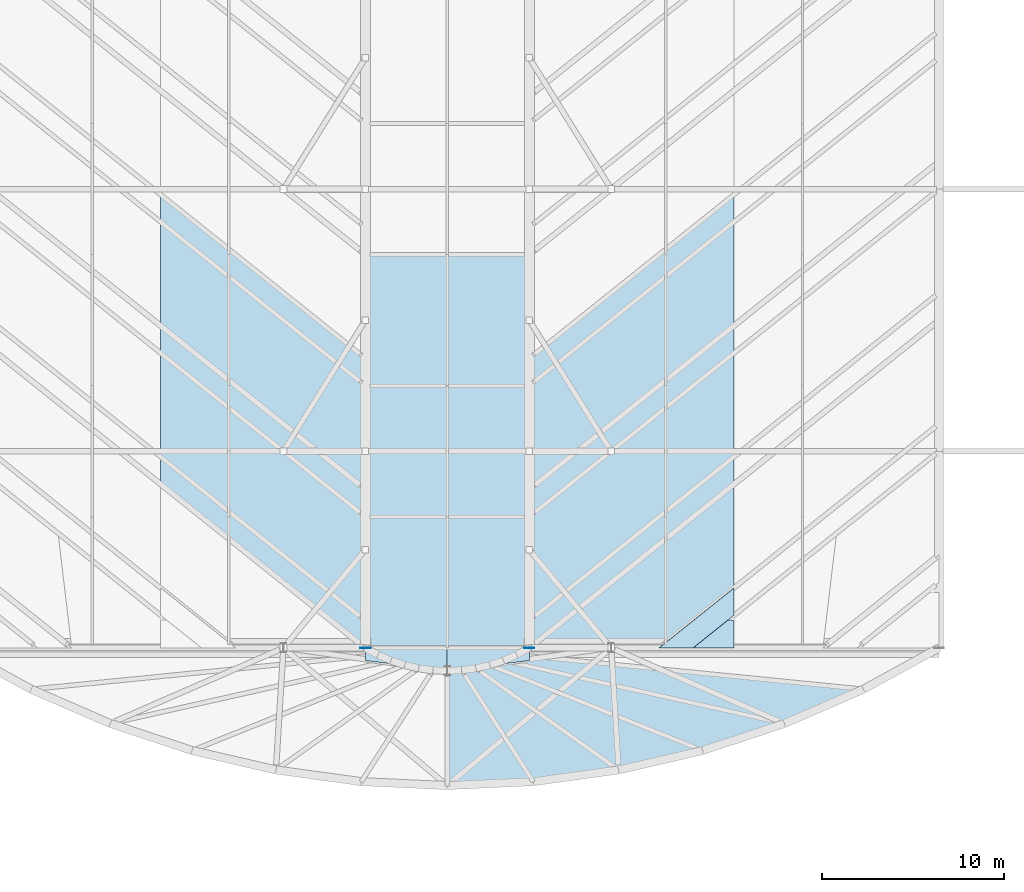
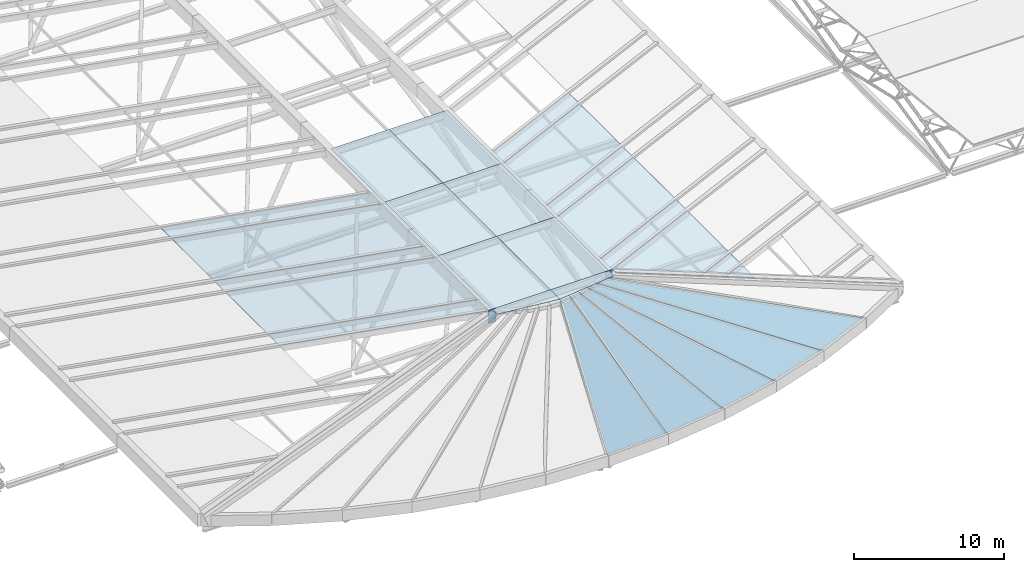
# One storey, part 63 of 110: 28 plates.
"""IFC4 building model written with IfcOpenShell, lengths in metres."""

import ifcopenshell
import ifcopenshell.guid

model = None  # the IFC model being written
_history = None  # IfcOwnerHistory: only IFC2X3 demands one
_inside = {}  # id of a spatial element -> (the spatial element, [elements in it])
_under = {}  # id of a project, library or spatial element -> (it, [spatial elements below it])
_declared = {}  # id of a project -> (the project, [libraries it declares])
_typed = {}  # id of a type object -> (the type object, [elements of that type])
_made_of = {}  # id of a material, layer set ... -> (it, [elements and type objects made of it])


def new_model(schema):
    """Start an empty IFC model of exactly this schema.

    Asked for "IFC4X3", IfcOpenShell would pick the latest addendum, in which some entities
    have other attributes; the version numbers below select the first issue.
    IFC2X3 requires an IfcOwnerHistory on every rooted entity: one is made here for all.
    """
    global model, _history
    if schema == "IFC4X3":
        model = ifcopenshell.file(schema_version=(4, 3, 0, 0))
    else:
        model = ifcopenshell.file(schema=schema)
    _inside.clear()
    _under.clear()
    _declared.clear()
    _typed.clear()
    _made_of.clear()
    _history = None
    if model.schema == "IFC2X3":
        org = make("IfcOrganization", Name="unknown")
        user = make(
            "IfcPersonAndOrganization",
            ThePerson=make("IfcPerson", FamilyName="unknown"),
            TheOrganization=org,
        )
        app = make(
            "IfcApplication",
            ApplicationDeveloper=org,
            Version="unknown",
            ApplicationFullName="unknown",
            ApplicationIdentifier="unknown",
        )
        _history = make(
            "IfcOwnerHistory",
            OwningUser=user,
            OwningApplication=app,
            ChangeAction="ADDED",
            CreationDate=0,
        )
    return model


def make(cls, **values):
    """One entity of the class cls with the attributes given. An attribute that is None is left unset."""
    return model.create_entity(
        cls, **{name: value for name, value in values.items() if value is not None}
    )


def rooted(cls, **values):
    """An entity with a GlobalId (a new one), such as an element, a storey or a relation."""
    return make(cls, GlobalId=ifcopenshell.guid.new(), OwnerHistory=_history, **values)


def si_unit(unit_type, name, prefix=None):
    """IfcSIUnit, for example si_unit("LENGTHUNIT", "METRE", prefix="MILLI")."""
    return make("IfcSIUnit", UnitType=unit_type, Prefix=prefix, Name=name)


def assignment(units):
    """IfcUnitAssignment: the units of a project."""
    return None if units is None else make("IfcUnitAssignment", Units=units)


def point(xyz):
    """IfcCartesianPoint."""
    return None if xyz is None else make("IfcCartesianPoint", Coordinates=xyz)


def direction(xyz):
    """IfcDirection."""
    return None if xyz is None else make("IfcDirection", DirectionRatios=xyz)


def frame(location, z_axis=None, x_axis=None):
    """IfcAxis2Placement3D, a coordinate frame: its origin and axes. An axis left out is left unset."""
    return make(
        "IfcAxis2Placement3D",
        Location=point(location),
        Axis=direction(z_axis),
        RefDirection=direction(x_axis),
    )


def frame_2d(location, x_axis=None):
    """IfcAxis2Placement2D, a coordinate frame in the plane: its origin and x axis."""
    return make(
        "IfcAxis2Placement2D", Location=point(location), RefDirection=direction(x_axis)
    )


def origin():
    """The frame at (0, 0, 0) with its axes left unset."""
    return frame((0.0, 0.0, 0.0))


def origin_2d():
    """The frame at (0, 0) in the plane with its x axis left unset."""
    return frame_2d((0.0, 0.0))


def place(relative_to, where):
    """IfcLocalPlacement: puts the frame where relative to a parent placement (None: the world)."""
    return make(
        "IfcLocalPlacement", PlacementRelTo=relative_to, RelativePlacement=where
    )


def context(
    kind, dimensions, precision=None, world=None, true_north=None, identifier=None
):
    """IfcGeometricRepresentationContext, for example the 3D "Model" context."""
    return make(
        "IfcGeometricRepresentationContext",
        ContextIdentifier=identifier,
        ContextType=kind,
        CoordinateSpaceDimension=dimensions,
        Precision=precision,
        WorldCoordinateSystem=world,
        TrueNorth=true_north,
    )


def subcontext(parent, identifier, kind, view, scale=None):
    """IfcGeometricRepresentationSubContext, for example "Body" below "Model"."""
    return make(
        "IfcGeometricRepresentationSubContext",
        ContextIdentifier=identifier,
        ContextType=kind,
        ParentContext=parent,
        TargetScale=scale,
        TargetView=view,
    )


def project(units=None, contexts=None):
    """IfcProject with its units and contexts."""
    return rooted(
        "IfcProject",
        Name="project",
        RepresentationContexts=contexts,
        UnitsInContext=assignment(units),
    )


def spatial(cls, under=None, at=None, **own):
    """A site, building, storey or space (cls), placed at a placement, below another one or the project."""
    s = rooted(cls, ObjectPlacement=at, **own)
    if under is not None:
        _under.setdefault(under.id(), (under, []))[1].append(s)
    return s


def polyline(points):
    """IfcPolyline through the points."""
    return make("IfcPolyline", Points=[point(p) for p in points])


def profile(cls, at=None, kind="AREA", **sizes):
    """A parametric profile (cls). Its sizes go by their IFC names, for example OverallWidth=200.0."""
    return make(cls, ProfileType=kind, Position=at, **sizes)


def rectangle(**sizes):
    """IfcRectangleProfileDef."""
    return profile("IfcRectangleProfileDef", **sizes)


def outline(outer, holes=None, kind="AREA"):
    """IfcArbitraryClosedProfileDef: a profile drawn as a closed curve; with holes, ...WithVoids."""
    if holes is None:
        return make("IfcArbitraryClosedProfileDef", ProfileType=kind, OuterCurve=outer)
    return make(
        "IfcArbitraryProfileDefWithVoids",
        ProfileType=kind,
        OuterCurve=outer,
        InnerCurves=holes,
    )


def extrude(swept, where, along, depth):
    """IfcExtrudedAreaSolid: the profile swept, set in the frame where, extruded along a direction by depth."""
    return make(
        "IfcExtrudedAreaSolid",
        SweptArea=swept,
        Position=where,
        ExtrudedDirection=direction(along),
        Depth=depth,
    )


def shape(context_of_items, identifier, shape_type, items):
    """IfcShapeRepresentation: the items that make up one representation, for example the "Body"."""
    return make(
        "IfcShapeRepresentation",
        ContextOfItems=context_of_items,
        RepresentationIdentifier=identifier,
        RepresentationType=shape_type,
        Items=items,
    )


def material(Name=None, Category=None):
    """IfcMaterial."""
    return make("IfcMaterial", Name=Name, Category=Category)


def layer(
    of_material, thickness, ventilated=None, Name=None, Category=None, Priority=None
):
    """IfcMaterialLayer: one layer of a wall or slab, of a material (None: an air gap)."""
    return make(
        "IfcMaterialLayer",
        Material=of_material,
        LayerThickness=thickness,
        IsVentilated=ventilated,
        Name=Name,
        Category=Category,
        Priority=Priority,
    )


def layer_set(layers, Name=None):
    """IfcMaterialLayerSet."""
    return make("IfcMaterialLayerSet", MaterialLayers=layers, LayerSetName=Name)


def made_of(thing, what):
    """Note that an element or type object is made of a material, layer set ...; save() writes the relation."""
    if what is not None:
        _made_of.setdefault(what.id(), (what, []))[1].append(thing)
    return thing


def type_object(cls, material=None, **own):
    """A type object (cls), such as IfcWallType, which elements share."""
    return made_of(rooted(cls, **own), material)


def element(
    cls,
    number,
    at=None,
    inside=None,
    cuts=None,
    type_object=None,
    material=None,
    context=None,
    identifier="Body",
    shape_type=None,
    held_by="IfcProductDefinitionShape",
    body=None,
    shapes=None,
    **own,
):
    """One element of the class cls, such as IfcWall. Its Tag is "e" and its number.

    at: its placement. inside: the storey or other place that contains it. cuts: it is an
    opening in that element (IfcRelVoidsElement). A single representation is given by context,
    identifier, shape_type and body (its items); several are given by shapes. held_by: the class
    of the entity that holds the representations. save() writes the other relations.
    """
    e = rooted(cls, Tag="e%d" % number, ObjectPlacement=at, **own)
    if body is not None:
        shapes = [shape(context, identifier, shape_type, body)]
    if shapes is not None:
        e.Representation = make(held_by, Representations=shapes)
    if inside is not None:
        _inside.setdefault(inside.id(), (inside, []))[1].append(e)
    if cuts is not None:
        rooted(
            "IfcRelVoidsElement", RelatingBuildingElement=cuts, RelatedOpeningElement=e
        )
    if type_object is not None:
        _typed.setdefault(type_object.id(), (type_object, []))[1].append(e)
    return made_of(e, material)


def aggregate(whole, parts):
    """IfcRelAggregates: a whole, such as a stair, and the parts it consists of."""
    return rooted("IfcRelAggregates", RelatingObject=whole, RelatedObjects=parts)


def save(model, path):
    """Write the relations noted so far, then the file.

    IfcRelAggregates (storeys below a building ...), IfcRelContainedInSpatialStructure (elements
    in a storey), IfcRelDefinesByType, IfcRelAssociatesMaterial and IfcRelDeclares: one each for
    every whole, place, type object, material and project.
    """
    for whole, parts in _under.values():
        aggregate(whole, parts)
    for where, things in _inside.values():
        rooted(
            "IfcRelContainedInSpatialStructure",
            RelatedElements=things,
            RelatingStructure=where,
        )
    for kind, things in _typed.values():
        rooted("IfcRelDefinesByType", RelatedObjects=things, RelatingType=kind)
    for what, things in _made_of.values():
        rooted("IfcRelAssociatesMaterial", RelatedObjects=things, RelatingMaterial=what)
    for by, libraries in _declared.values():
        rooted("IfcRelDeclares", RelatingContext=by, RelatedDefinitions=libraries)
    model.write(path)


model = new_model("IFC4")

# Units and contexts
model_context = context("Model", 3, precision=1e-05, world=origin(), true_north=direction((0.0, 1.0)))
body_context = subcontext(model_context, "Body", "Model", "MODEL_VIEW")
ifc_project = project(units=[si_unit("LENGTHUNIT", "METRE"), si_unit("AREAUNIT", "SQUARE_METRE"), si_unit("VOLUMEUNIT", "CUBIC_METRE"), si_unit("PLANEANGLEUNIT", "RADIAN"), si_unit("MASSUNIT", "GRAM", prefix="KILO")], contexts=[model_context])

# Site, building, storey
site_placement = place(None, origin())
site = spatial("IfcSite", under=ifc_project, at=site_placement, CompositionType="ELEMENT")
building_placement = place(site_placement, origin())
building = spatial("IfcBuilding", under=site, at=building_placement, Name="Tamarisk Ironworks Central Station", CompositionType="ELEMENT")
storey_placement = place(building_placement, frame((0.0, 0.0, 17.39990234375)))
storey = spatial("IfcBuildingStorey", under=building, at=storey_placement, Name="L03", CompositionType="ELEMENT", Elevation=17.39990234375)

# Plates
ifc_material_1 = material(Name="Painted structural steel S355J2", Category="steel")
ifc_layer_1 = layer(ifc_material_1, 0.01611328125)
ifc_layer_set_1 = layer_set([ifc_layer_1], Name="Painted structural steel S355J2")
plate_type_1 = type_object("IfcPlateType", Name="PL-EC16", PredefinedType="SHEET", material=ifc_layer_set_1)
for number, where, z_axis, x_axis, name in (
    (1, (76.5, 10.800048828125, 7.090087890625), (0.0, 0.0, 1.0), (1.0, 0.0, 0.0), "Spine box girder welded end-cap plate 005"),
    (2, (85.5, 10.800048828125, 7.090087890625), (0.0, 0.0, 1.0), (1.0, 0.0, 0.0), "Spine box girder welded end-cap plate 007"),
):
    element("IfcPlate", number, at=place(storey_placement, frame(where, z_axis=z_axis, x_axis=x_axis)), inside=storey, type_object=plate_type_1, Name=name, PredefinedType="SHEET", context=body_context, shape_type="SweptSolid", body=[
        extrude(rectangle(XDim=0.570068359375, YDim=0.01611328125, at=origin_2d()), origin(), (0.0, 0.0, 1.0), 1.1201171875),
    ])
ifc_material_2 = material(Name="Laminated solar-control low-E glass", Category="glass")
ifc_layer_2 = layer(ifc_material_2, 0.031982421875)
ifc_layer_set_2 = layer_set([ifc_layer_2], Name="Laminated solar-control low-E glass")
plate_type_2 = type_object("IfcPlateType", Name="PL-RG32", PredefinedType="USERDEFINED", material=ifc_layer_set_2)
plate_1_placement = place(storey_placement, frame((81.0, 3.240966796875, -0.699951171875), z_axis=(0.036958915641, -0.812592322478, 0.581659484583), x_axis=(0.998966686052, 0.045448430603, 1.7742851e-05)))
element("IfcPlate", 3, at=plate_1_placement, inside=storey, type_object=plate_type_2, Name="SOUTH rounded entrance hall trapezoidal glass panel 07", ObjectType="ROOF GLAZING PANEL", PredefinedType="USERDEFINED", context=body_context, shape_type="SweptSolid", body=[
    extrude(outline(polyline([(0.0, 0.0), (4.729990554004861, 0.0), (1.0748539911034023, 10.81839121232795), (0.2864501824924405, 10.818511581339045), (0.0, 0.0)])), origin(), (0.0, 0.0, -1.0), 0.031982421875),
])
plate_2_placement = place(storey_placement, frame((85.72509765625, 3.4560546875, -0.699951171875), z_axis=(0.108880491579, -0.792604670819, 0.599935725182), x_axis=(0.990697528555, 0.136082352755, -1.354396e-05)))
element("IfcPlate", 4, at=plate_2_placement, inside=storey, type_object=plate_type_2, Name="SOUTH rounded entrance hall trapezoidal glass panel 08", ObjectType="ROOF GLAZING PANEL", PredefinedType="USERDEFINED", context=body_context, shape_type="SweptSolid", body=[
    extrude(outline(polyline([(0.0, 0.0), (4.729778014506987, -5.551115123125783e-17), (-2.2798251872545783, 10.999359699398596), (-3.0681839834118128, 10.999266283247486), (0.0, 0.0)])), origin(), (0.0, 0.0, -1.0), 0.031982421875),
])
plate_3_placement = place(storey_placement, frame((90.410888671875, 4.099609375, -0.699951171875), z_axis=(0.174452844045, -0.753669143786, 0.633678962022), x_axis=(0.974241200646, 0.225508498649, -5.54137e-07)))
element("IfcPlate", 5, at=plate_3_placement, inside=storey, type_object=plate_type_2, Name="SOUTH rounded entrance hall trapezoidal glass panel 09", ObjectType="ROOF GLAZING PANEL", PredefinedType="USERDEFINED", context=body_context, shape_type="SweptSolid", body=[
    extrude(outline(polyline([(0.0, 0.0), (4.729992503124173, -1.1102230246251565e-16), (-5.592976607759322, 11.37550380896355), (-6.381101305769362, 11.375499856260948), (0.0, 0.0)])), origin(), (0.0, 0.0, -1.0), 0.031982421875),
])
plate_4_placement = place(storey_placement, frame((95.01904296875, 5.166259765625, -0.699951171875), z_axis=(0.230173022247, -0.698096110283, 0.677998673036), x_axis=(0.949707386956, 0.313138753793, 5.791303e-06)))
element("IfcPlate", 6, at=plate_4_placement, inside=storey, type_object=plate_type_2, Name="SOUTH rounded entrance hall trapezoidal glass panel 10", ObjectType="ROOF GLAZING PANEL", PredefinedType="USERDEFINED", context=body_context, shape_type="SweptSolid", body=[
    extrude(outline(polyline([(0.0, 0.0), (4.730085141420575, 2.220446049250313e-16), (-8.836473403763897, 11.971896957608205), (-9.624885473070487, 11.97194043589678), (0.0, 0.0)])), origin(), (0.0, 0.0, -1.0), 0.031982421875),
])
plate_5_placement = place(storey_placement, frame((99.51123046875, 6.6474609375, -0.699951171875), z_axis=(0.273380889698, -0.629948807178, 0.726930113204), x_axis=(0.91733708375, 0.398111384759, 1.0130059e-05)))
element("IfcPlate", 7, at=plate_5_placement, inside=storey, type_object=plate_type_2, Name="SOUTH rounded entrance hall trapezoidal glass panel 11", ObjectType="ROOF GLAZING PANEL", PredefinedType="USERDEFINED", context=body_context, shape_type="SweptSolid", body=[
    extrude(outline(polyline([(0.0, 0.0), (4.7298700593379515, 0.0), (-11.98486869133244, 12.814946195480701), (-12.773131770307621, 12.815027596503747), (0.0, 0.0)])), origin(), (0.0, 0.0, -1.0), 0.031982421875),
])
ifc_layer_3 = layer(ifc_material_2, 0.035888671875)
ifc_layer_set_3 = layer_set([ifc_layer_3], Name="Laminated solar-control low-E glass")
plate_type_3 = type_object("IfcPlateType", Name="PL-RG36", PredefinedType="USERDEFINED", material=ifc_layer_set_3)
plate_6_placement = place(storey_placement, frame((0.0, 0.0, 8.1640625)))
element("IfcPlate", 8, at=plate_6_placement, inside=storey, type_object=plate_type_3, Name="Concourse central skylight spine glass panel 001", ObjectType="ROOF GLAZING PANEL", PredefinedType="USERDEFINED", context=body_context, shape_type="SweptSolid", body=[
    extrude(outline(polyline([(76.5, 10.803955078125), (80.99609375, 10.803955078125), (80.99609375, 17.99609375), (76.5, 17.99609375), (76.5, 10.803955078125)])), origin(), (0.0, 0.0, 1.0), 0.0361328125),
])
plate_7_placement = place(storey_placement, frame((0.0, 0.0, 8.1640625)))
element("IfcPlate", 9, at=plate_7_placement, inside=storey, type_object=plate_type_3, Name="Concourse central skylight spine glass panel 002", ObjectType="ROOF GLAZING PANEL", PredefinedType="USERDEFINED", context=body_context, shape_type="SweptSolid", body=[
    extrude(outline(polyline([(81.00390625, 10.803955078125), (85.5, 10.803955078125), (85.5, 17.99609375), (81.00390625, 17.99609375), (81.00390625, 10.803955078125)])), origin(), (0.0, 0.0, 1.0), 0.0361328125),
])
plate_8_placement = place(storey_placement, frame((0.0, 0.0, 8.1640625)))
element("IfcPlate", 10, at=plate_8_placement, inside=storey, type_object=plate_type_3, Name="Concourse central skylight spine glass panel 003", ObjectType="ROOF GLAZING PANEL", PredefinedType="USERDEFINED", context=body_context, shape_type="SweptSolid", body=[
    extrude(outline(polyline([(76.5, 18.00390625), (80.99609375, 18.00390625), (80.99609375, 25.196044921875), (76.5, 25.196044921875), (76.5, 18.00390625)])), origin(), (0.0, 0.0, 1.0), 0.0361328125),
])
plate_9_placement = place(storey_placement, frame((0.0, 0.0, 8.1640625)))
element("IfcPlate", 11, at=plate_9_placement, inside=storey, type_object=plate_type_3, Name="Concourse central skylight spine glass panel 004", ObjectType="ROOF GLAZING PANEL", PredefinedType="USERDEFINED", context=body_context, shape_type="SweptSolid", body=[
    extrude(outline(polyline([(81.00390625, 18.00390625), (85.5, 18.00390625), (85.5, 25.196044921875), (81.00390625, 25.196044921875), (81.00390625, 18.00390625)])), origin(), (0.0, 0.0, 1.0), 0.0361328125),
])
plate_10_placement = place(storey_placement, frame((0.0, 0.0, 8.1640625)))
element("IfcPlate", 12, at=plate_10_placement, inside=storey, type_object=plate_type_3, Name="Concourse central skylight spine glass panel 005", ObjectType="ROOF GLAZING PANEL", PredefinedType="USERDEFINED", context=body_context, shape_type="SweptSolid", body=[
    extrude(outline(polyline([(76.5, 25.2041015625), (80.99609375, 25.2041015625), (80.99609375, 32.39599609375), (76.5, 32.39599609375), (76.5, 25.2041015625)])), origin(), (0.0, 0.0, 1.0), 0.0361328125),
])
plate_11_placement = place(storey_placement, frame((0.0, 0.0, 8.1640625)))
element("IfcPlate", 13, at=plate_11_placement, inside=storey, type_object=plate_type_3, Name="Concourse central skylight spine glass panel 006", ObjectType="ROOF GLAZING PANEL", PredefinedType="USERDEFINED", context=body_context, shape_type="SweptSolid", body=[
    extrude(outline(polyline([(81.00390625, 25.2041015625), (85.5, 25.2041015625), (85.5, 32.39599609375), (81.00390625, 32.39599609375), (81.00390625, 25.2041015625)])), origin(), (0.0, 0.0, 1.0), 0.0361328125),
])
plate_12_placement = place(storey_placement, frame((76.49609375, 10.80712890625, 8.0986328125), z_axis=(-0.364245304975, 0.0, 0.931303042948), x_axis=(0.0, 1.0, 0.0)))
element("IfcPlate", 14, at=plate_12_placement, inside=storey, type_object=plate_type_3, Name="Concourse fitted 4-vertex fishbone roof glass panel 0032", ObjectType="ROOF GLAZING PANEL", PredefinedType="USERDEFINED", context=body_context, shape_type="SweptSolid", body=[
    extrude(outline(polyline([(0.0, 0.0), (1.4921875, 0.0), (10.485595703125, 12.071460074281257), (8.99365234375, 12.071460074281257), (0.0, 0.0)])), origin(), (0.0, 0.0, -1.0), 0.035888671875),
])
plate_13_placement = place(storey_placement, frame((76.49609375, 12.30712890625, 8.0986328125), z_axis=(-0.364245304975, 0.0, 0.931303042948), x_axis=(0.0, 1.0, 0.0)))
element("IfcPlate", 15, at=plate_13_placement, inside=storey, type_object=plate_type_3, Name="Concourse fitted 4-vertex fishbone roof glass panel 0033", ObjectType="ROOF GLAZING PANEL", PredefinedType="USERDEFINED", context=body_context, shape_type="SweptSolid", body=[
    extrude(outline(polyline([(0.0, 0.0), (5.692138671875, 0.0), (14.685791015625, 12.071460074281257), (8.99365234375, 12.071460074281257), (0.0, 0.0)])), origin(), (0.0, 0.0, -1.0), 0.035888671875),
])
plate_14_placement = place(storey_placement, frame((76.49609375, 18.007080078125, 8.0986328125), z_axis=(-0.364245304975, 0.0, 0.931303042948), x_axis=(0.0, 1.0, 0.0)))
element("IfcPlate", 16, at=plate_14_placement, inside=storey, type_object=plate_type_3, Name="Concourse fitted 4-vertex fishbone roof glass panel 0034", ObjectType="ROOF GLAZING PANEL", PredefinedType="USERDEFINED", context=body_context, shape_type="SweptSolid", body=[
    extrude(outline(polyline([(0.0, 0.0), (1.4921875, 0.0), (10.48583984375, 12.071460074281255), (8.99365234375, 12.071460074281255), (0.0, 0.0)])), origin(), (0.0, 0.0, -1.0), 0.035888671875),
])
plate_15_placement = place(storey_placement, frame((76.49609375, 19.507080078125, 8.0986328125), z_axis=(-0.364245304975, 0.0, 0.931303042948), x_axis=(0.0, 1.0, 0.0)))
element("IfcPlate", 17, at=plate_15_placement, inside=storey, type_object=plate_type_3, Name="Concourse fitted 4-vertex fishbone roof glass panel 0035", ObjectType="ROOF GLAZING PANEL", PredefinedType="USERDEFINED", context=body_context, shape_type="SweptSolid", body=[
    extrude(outline(polyline([(0.0, 0.0), (5.692138671875, 0.0), (14.685791015625, 12.071460074281257), (8.99365234375, 12.071460074281257), (0.0, 0.0)])), origin(), (0.0, 0.0, -1.0), 0.035888671875),
])
plate_16_placement = place(storey_placement, frame((76.49609375, 25.207275390625, 8.0986328125), z_axis=(-0.364245304975, 0.0, 0.931303042948), x_axis=(0.0, 1.0, 0.0)))
element("IfcPlate", 18, at=plate_16_placement, inside=storey, type_object=plate_type_3, Name="Concourse fitted 4-vertex fishbone roof glass panel 0036", ObjectType="ROOF GLAZING PANEL", PredefinedType="USERDEFINED", context=body_context, shape_type="SweptSolid", body=[
    extrude(outline(polyline([(0.0, 0.0), (1.491943359375, 0.0), (10.485595703125, 12.071460074281257), (8.993408203125, 12.071460074281257), (0.0, 0.0)])), origin(), (0.0, 0.0, -1.0), 0.035888671875),
])
plate_17_placement = place(storey_placement, frame((96.41064453125, 12.324462890625, 3.832763671875), z_axis=(0.364199309114, 4.6637375e-05, 0.931321030078), x_axis=(-0.746822184463, -0.597449630581, 0.292079721502)))
element("IfcPlate", 19, at=plate_17_placement, inside=storey, type_object=plate_type_3, Name="Concourse fitted 4-vertex fishbone roof glass panel 0094", ObjectType="ROOF GLAZING PANEL", PredefinedType="USERDEFINED", context=body_context, shape_type="SweptSolid", body=[
    extrude(outline(polyline([(0.0, 0.0), (2.5449974993349, 2.7755575615628914e-17), (0.619613234218695, 1.4344817036211384), (-0.28881359665493533, 0.21517669838502185), (0.0, 0.0)])), origin(), (0.0, 0.0, -1.0), 0.035888671875),
])
plate_18_placement = place(storey_placement, frame((96.74609375, 12.600830078125, 3.70166015625), z_axis=(0.364257050462, -2.6207848e-05, 0.931298448674), x_axis=(9.546393e-06, 0.999999999657, 2.4407328e-05)))
element("IfcPlate", 20, at=plate_18_placement, inside=storey, type_object=plate_type_3, Name="Concourse fitted 4-vertex fishbone roof glass panel 0095", ObjectType="ROOF GLAZING PANEL", PredefinedType="USERDEFINED", context=body_context, shape_type="SweptSolid", body=[
    extrude(outline(polyline([(0.0, 0.0), (1.4919433588626285, 0.0), (-1.796875000617093, 4.414338749454878), (-1.7968750016418364, 2.4117535641484458), (0.0, 0.0)])), origin(), (0.0, 0.0, -1.0), 0.035888671875),
])
plate_19_placement = place(storey_placement, frame((96.74609375, 14.100830078125, 3.70166015625), z_axis=(0.364240784318, 2.442367e-06, 0.931304811022), x_axis=(-8.8961e-07, 0.999999999997, -2.274588e-06)))
element("IfcPlate", 21, at=plate_19_placement, inside=storey, type_object=plate_type_3, Name="Concourse fitted 4-vertex fishbone roof glass panel 0096", ObjectType="ROOF GLAZING PANEL", PredefinedType="USERDEFINED", context=body_context, shape_type="SweptSolid", body=[
    extrude(outline(polyline([(0.0, 0.0), (5.691894531233024, 6.026527750331652e-22), (-3.296875000009833, 12.064886580945966), (-3.2968750000437863, 4.425083708051606), (0.0, 0.0)])), origin(), (0.0, 0.0, -1.0), 0.035888671875),
])
plate_20_placement = place(storey_placement, frame((96.74609375, 19.80078125, 3.70166015625), z_axis=(0.364245304975, 0.0, 0.931303042948), x_axis=(0.0, 1.0, 0.0)))
element("IfcPlate", 22, at=plate_20_placement, inside=storey, type_object=plate_type_3, Name="Concourse fitted 4-vertex fishbone roof glass panel 0097", ObjectType="ROOF GLAZING PANEL", PredefinedType="USERDEFINED", context=body_context, shape_type="SweptSolid", body=[
    extrude(outline(polyline([(0.0, 0.0), (1.491943359375, 0.0), (-7.50146484375, 12.071460074281257), (-8.99365234375, 12.071460074281257), (0.0, 0.0)])), origin(), (0.0, 0.0, -1.0), 0.035888671875),
])
plate_21_placement = place(storey_placement, frame((96.74609375, 21.30078125, 3.70166015625), z_axis=(0.364245304975, 0.0, 0.931303042948), x_axis=(0.0, 1.0, 0.0)))
element("IfcPlate", 23, at=plate_21_placement, inside=storey, type_object=plate_type_3, Name="Concourse fitted 4-vertex fishbone roof glass panel 0098", ObjectType="ROOF GLAZING PANEL", PredefinedType="USERDEFINED", context=body_context, shape_type="SweptSolid", body=[
    extrude(outline(polyline([(0.0, 0.0), (5.692138671875, 0.0), (-3.301513671875, 12.071460074281257), (-8.99365234375, 12.071460074281257), (0.0, 0.0)])), origin(), (0.0, 0.0, -1.0), 0.035888671875),
])
plate_22_placement = place(storey_placement, frame((96.74609375, 27.000732421875, 3.70166015625), z_axis=(0.364245304975, 0.0, 0.931303042948), x_axis=(0.0, 1.0, 0.0)))
element("IfcPlate", 24, at=plate_22_placement, inside=storey, type_object=plate_type_3, Name="Concourse fitted 4-vertex fishbone roof glass panel 0099", ObjectType="ROOF GLAZING PANEL", PredefinedType="USERDEFINED", context=body_context, shape_type="SweptSolid", body=[
    extrude(outline(polyline([(0.0, 0.0), (1.4921875, 0.0), (-7.50146484375, 12.071460074281255), (-8.99365234375, 12.071460074281255), (0.0, 0.0)])), origin(), (0.0, 0.0, -1.0), 0.035888671875),
])
plate_23_placement = place(storey_placement, frame((96.74609375, 28.500732421875, 3.70166015625), z_axis=(0.364245304975, 0.0, 0.931303042948), x_axis=(0.0, 1.0, 0.0)))
element("IfcPlate", 25, at=plate_23_placement, inside=storey, type_object=plate_type_3, Name="Concourse fitted 4-vertex fishbone roof glass panel 0100", ObjectType="ROOF GLAZING PANEL", PredefinedType="USERDEFINED", context=body_context, shape_type="SweptSolid", body=[
    extrude(outline(polyline([(0.0, 0.0), (5.692138671875, 0.0), (-3.301513671875, 12.071460074281257), (-8.99365234375, 12.071460074281257), (0.0, 0.0)])), origin(), (0.0, 0.0, -1.0), 0.035888671875),
])
plate_24_placement = place(storey_placement, frame((96.74609375, 34.20068359375, 3.70166015625), z_axis=(0.364245304975, 0.0, 0.931303042948), x_axis=(0.0, 1.0, 0.0)))
element("IfcPlate", 26, at=plate_24_placement, inside=storey, type_object=plate_type_3, Name="Concourse fitted 4-vertex fishbone roof glass panel 0101", ObjectType="ROOF GLAZING PANEL", PredefinedType="USERDEFINED", context=body_context, shape_type="SweptSolid", body=[
    extrude(outline(polyline([(0.0, 0.0), (1.4921875, 0.0), (-7.50146484375, 12.071460074281257), (-8.993408203125, 12.071460074281257), (0.0, 0.0)])), origin(), (0.0, 0.0, -1.0), 0.035888671875),
])
plate_25_placement = place(storey_placement, frame((0.0, 0.0, 8.1640625)))
element("IfcPlate", 27, at=plate_25_placement, inside=storey, type_object=plate_type_3, Name="SOUTH rounded entrance hall crown lunette glass W", ObjectType="ROOF GLAZING PANEL", PredefinedType="USERDEFINED", context=body_context, shape_type="SweptSolid", body=[
    extrude(outline(polyline([(76.5, 10.10791015625), (80.99609375, 9.540283203125), (80.99609375, 10.800048828125), (76.5, 10.800048828125), (76.5, 10.10791015625)])), origin(), (0.0, 0.0, 1.0), 0.0361328125),
])
plate_26_placement = place(storey_placement, frame((0.0, 0.0, 8.1640625)))
element("IfcPlate", 28, at=plate_26_placement, inside=storey, type_object=plate_type_3, Name="SOUTH rounded entrance hall crown lunette glass E", ObjectType="ROOF GLAZING PANEL", PredefinedType="USERDEFINED", context=body_context, shape_type="SweptSolid", body=[
    extrude(outline(polyline([(81.00390625, 9.540283203125), (85.5, 10.10791015625), (85.5, 10.800048828125), (81.00390625, 10.800048828125), (81.00390625, 9.540283203125)])), origin(), (0.0, 0.0, 1.0), 0.0361328125),
])

save(model, "model.ifc")
